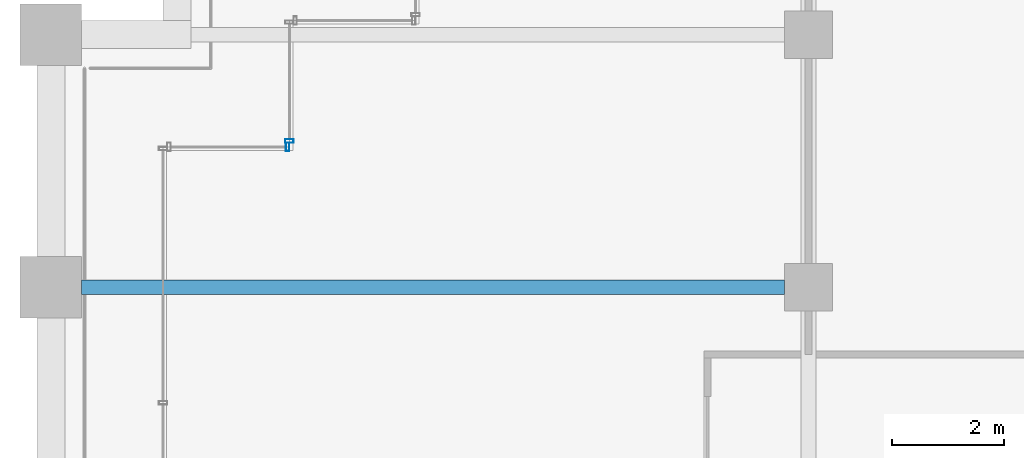
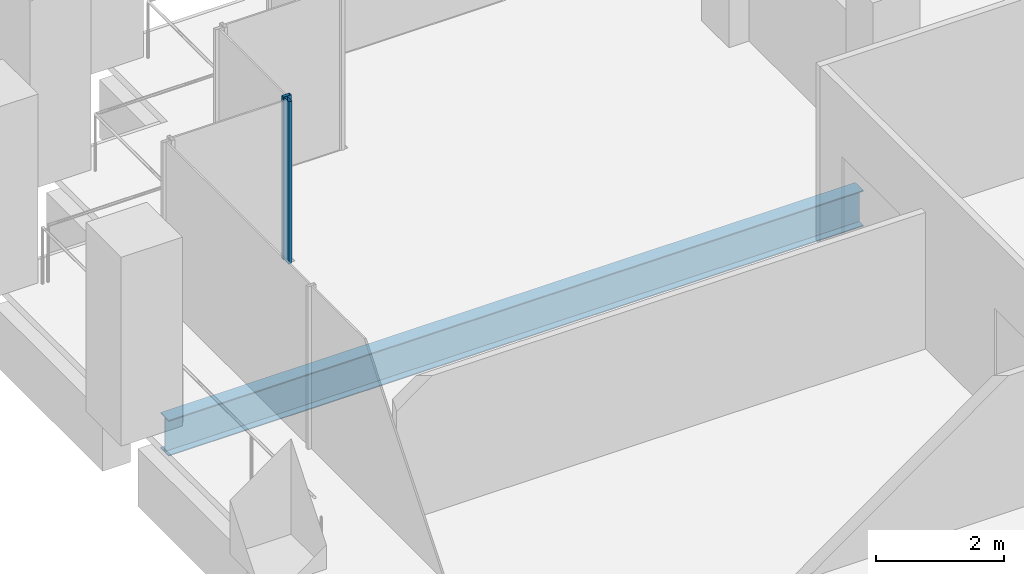
# One storey, part 24 of 56: 2 members, 1 beam, 2 elements without a shape of their own.
"""IFC4 building model written with IfcOpenShell, lengths in metres."""

from ifc_helpers import new_model, si_unit, direction, frame, origin, origin_2d, place, context, subcontext, project, spatial, hollow_rectangle, i_section, extrude, material, material_profile, profile_set, type_object, element, aggregate, save


model = new_model("IFC4")

# Units and contexts
model_context = context("Model", 3, precision=1e-05, world=origin(), true_north=direction((0.0, 1.0)))
body_context = subcontext(model_context, "Body", "Model", "MODEL_VIEW")
ifc_project = project(units=[si_unit("LENGTHUNIT", "METRE"), si_unit("AREAUNIT", "SQUARE_METRE"), si_unit("VOLUMEUNIT", "CUBIC_METRE"), si_unit("PLANEANGLEUNIT", "RADIAN"), si_unit("MASSUNIT", "GRAM", prefix="KILO")], contexts=[model_context])

# Site, building, storey
site_placement = place(None, origin())
site = spatial("IfcSite", under=ifc_project, at=site_placement, CompositionType="ELEMENT")
building_placement = place(site_placement, origin())
building = spatial("IfcBuilding", under=site, at=building_placement, Name="Altepetl Exchange Towers", CompositionType="ELEMENT")
storey_placement = place(building_placement, frame((0.0, 0.0, 83.39990234375)))
storey = spatial("IfcBuildingStorey", under=building, at=storey_placement, Name="L20", CompositionType="ELEMENT", Elevation=83.39990234375)

# Beam
ifc_material_1 = material(Name="Steel S355", Category="steel")
ifc_material_profile_1 = material_profile(ifc_material_1, i_section(OverallWidth=0.25390625, OverallDepth=0.68408203125, WebThickness=0.012451171875, FlangeThickness=0.018798828125, at=origin_2d()), Name="W27X94")
ifc_profile_set_1 = profile_set([ifc_material_profile_1], Name="Steel S355")
beam_type = type_object("IfcBeamType", Name="Floor beam W27X94", PredefinedType="BEAM", material=ifc_profile_set_1)
beam_placement = place(storey_placement, frame((27.550048828125, 63.0, -0.491943359375), z_axis=(1.0, 0.0, 0.0), x_axis=(0.0, 1.0, 0.0)))
element("IfcBeam", 1, at=beam_placement, inside=storey, type_object=beam_type, Name="bm:A:L20:022", PredefinedType="BEAM", context=body_context, shape_type="SweptSolid", body=[
    extrude(i_section(OverallWidth=0.25390625, OverallDepth=0.68408203125, WebThickness=0.012451171875, FlangeThickness=0.018798828125, at=origin_2d()), origin(), (0.0, 0.0, 1.0), 12.52490234375),
])

# Curtain wall, member
ifc_material_2 = material(Name="Aluminium 6063-T6 glazing", Category="aluminium")
curtain_wall_type = type_object("IfcCurtainWallType", Name="Loggia glazing system", PredefinedType="NOTDEFINED", material=ifc_material_2)
curtain_wall_1_placement = place(storey_placement, origin())
curtain_wall_1 = element("IfcCurtainWall", 2, at=curtain_wall_1_placement, inside=storey, type_object=curtain_wall_type, Name="CW1 run", PredefinedType="NOTDEFINED")
ifc_material_3 = material(Name="Aluminium 6063-T6", Category="aluminium")
ifc_material_profile_2 = material_profile(ifc_material_3, hollow_rectangle(XDim=0.06005859375, YDim=0.14990234375, WallThickness=0.0029296875, at=origin_2d()), Name="Mullion 60x150 aluminium")
ifc_profile_set_2 = profile_set([ifc_material_profile_2], Name="Aluminium 6063-T6")
member_type = type_object("IfcMemberType", Name="Mullion 60x150 aluminium", PredefinedType="MULLION", material=ifc_profile_set_2)
member_1_placement = place(storey_placement, frame((31.219970703125, 65.5, 0.0), z_axis=(0.0, 0.0, 1.0), x_axis=(-1.0, 0.0, 0.0)))
member_1 = element("IfcMember", 3, at=member_1_placement, type_object=member_type, Name="MU1 mullion", PredefinedType="MULLION", context=body_context, shape_type="SweptSolid", body=[
    extrude(hollow_rectangle(XDim=0.06005859375, YDim=0.14990234375, WallThickness=0.0029296875, at=origin_2d()), origin(), (0.0, 0.0, 1.0), 3.10009765625),
])
aggregate(curtain_wall_1, [member_1])

curtain_wall_2_placement = place(storey_placement, origin())
curtain_wall_2 = element("IfcCurtainWall", 4, at=curtain_wall_2_placement, inside=storey, type_object=curtain_wall_type, Name="CW1 run", PredefinedType="NOTDEFINED")
member_2_placement = place(storey_placement, frame((31.25, 65.60498046875, 0.0), z_axis=(0.0, 0.0, 1.0), x_axis=(0.0, -1.0, 0.0)))
member_2 = element("IfcMember", 5, at=member_2_placement, type_object=member_type, Name="MU1 mullion", PredefinedType="MULLION", context=body_context, shape_type="SweptSolid", body=[
    extrude(hollow_rectangle(XDim=0.06005859375, YDim=0.14990234375, WallThickness=0.0029296875, at=origin_2d()), origin(), (0.0, 0.0, 1.0), 3.10009765625),
])
aggregate(curtain_wall_2, [member_2])

save(model, "model.ifc")
